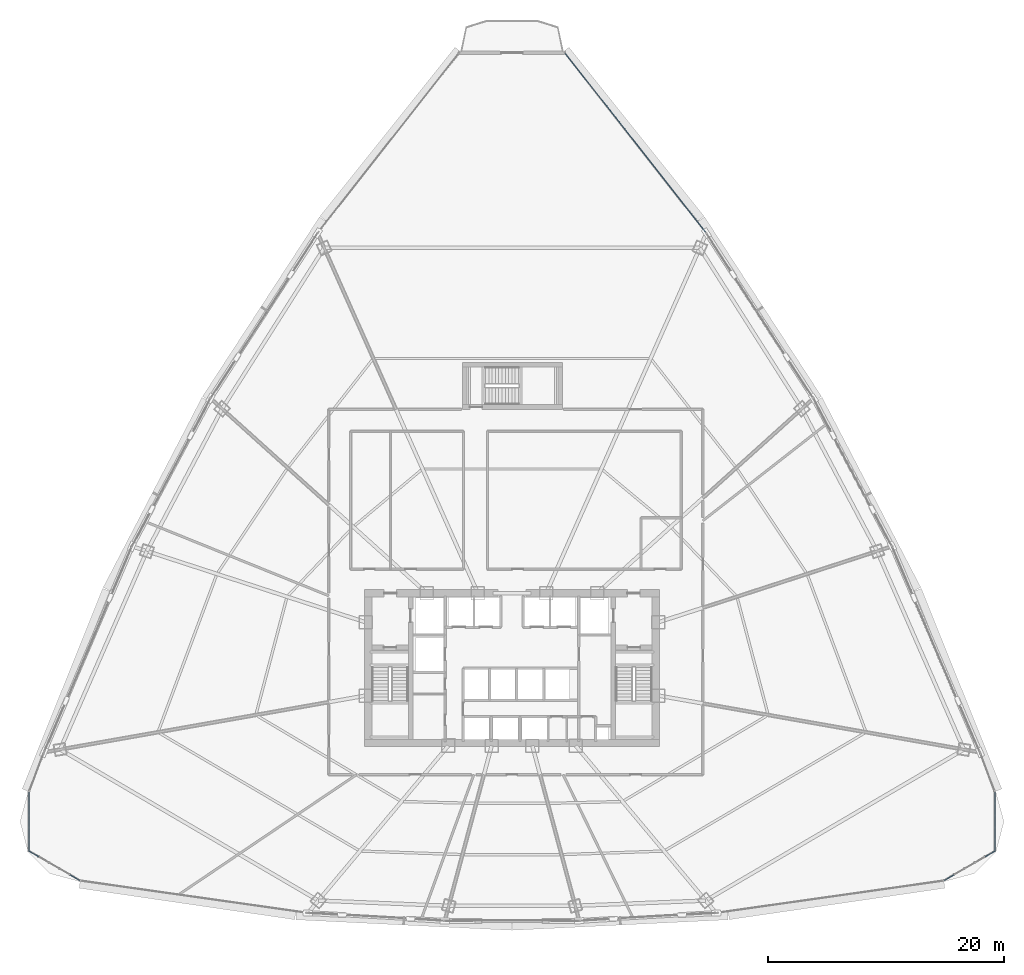
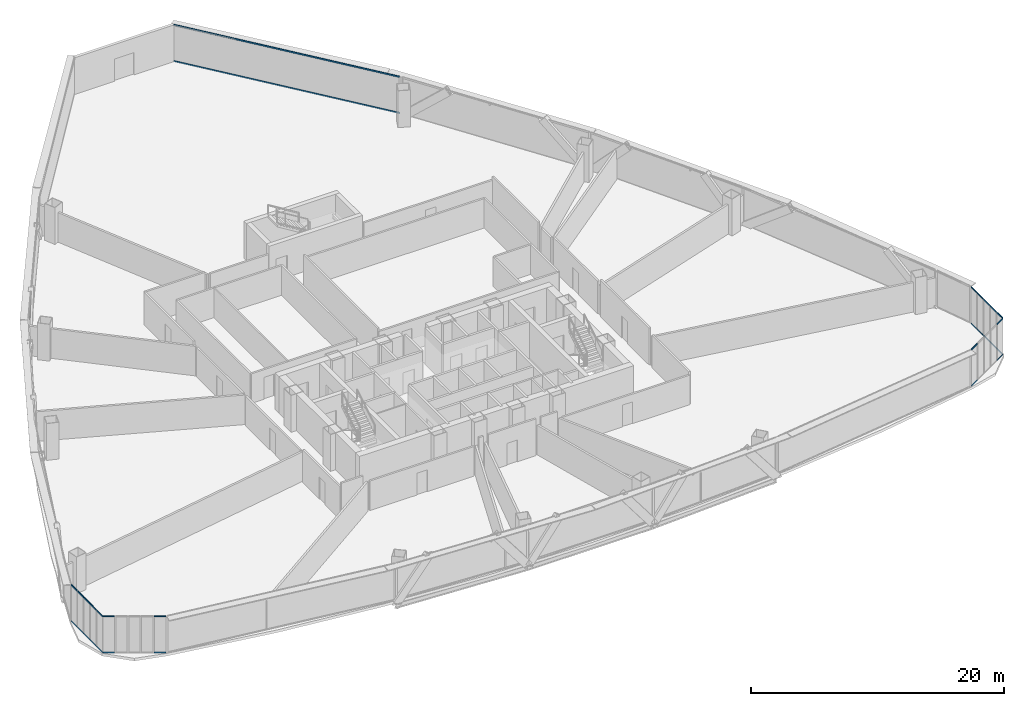
# One storey, part 29 of 41: 30 members, 5 elements without a shape of their own.
"""IFC4 building model written with IfcOpenShell, lengths in metres."""

from ifc_helpers import new_model, si_unit, direction, frame, origin, origin_2d, place, context, subcontext, project, spatial, hollow_rectangle, extrude, source, transform, mapped, material, layer, layer_set, material_profile, profile_set, type_object, element, aggregate, save


model = new_model("IFC4")

# Units and contexts
model_context = context("Model", 3, precision=1e-05, world=origin(), true_north=direction((0.0, 1.0)))
body_context = subcontext(model_context, "Body", "Model", "MODEL_VIEW")
ifc_project = project(units=[si_unit("LENGTHUNIT", "METRE"), si_unit("AREAUNIT", "SQUARE_METRE"), si_unit("VOLUMEUNIT", "CUBIC_METRE"), si_unit("PLANEANGLEUNIT", "RADIAN"), si_unit("MASSUNIT", "GRAM", prefix="KILO"), si_unit("THERMODYNAMICTEMPERATUREUNIT", "KELVIN"), si_unit("POWERUNIT", "WATT")], contexts=[model_context])

# Site, building, storey
site_placement = place(None, origin())
site = spatial("IfcSite", under=ifc_project, at=site_placement, CompositionType="ELEMENT")
building_placement = place(site_placement, origin())
building = spatial("IfcBuilding", under=site, at=building_placement, Name="Yunzhuo Pagoda Commons", CompositionType="ELEMENT")
storey_placement = place(building_placement, frame((0.0, 0.0, 111.580078125)))
storey = spatial("IfcBuildingStorey", under=building, at=storey_placement, Name="L28", CompositionType="ELEMENT", Elevation=111.580078125)

# Curtain wall, members
ifc_material = material(Name="Anodized aluminium 6063-T6", Category="aluminium")
ifc_layer_1 = layer(ifc_material, 0.1650390625)
ifc_layer_set_1 = layer_set([ifc_layer_1], Name="Anodized aluminium 6063-T6")
curtain_wall_type_1 = type_object("IfcCurtainWallType", Name="CW-LOW Low-Zone Ribbon Curtain Wall", PredefinedType="NOTDEFINED", material=ifc_layer_set_1)
curtain_wall_1_placement = place(storey_placement, origin())
curtain_wall_1 = element("IfcCurtainWall", 1, at=curtain_wall_1_placement, inside=storey, type_object=curtain_wall_type_1, Name="L28 curtain wall CW-L28-F2B5", PredefinedType="NOTDEFINED")
ifc_material_profile_1 = material_profile(ifc_material, hollow_rectangle(XDim=0.06005859375, YDim=0.139892578125, WallThickness=0.00341796875, at=origin_2d()), Name="Anodized aluminium 6063-T6")
ifc_profile_set_1 = profile_set([ifc_material_profile_1], Name="Anodized aluminium 6063-T6")
member_type_1 = type_object("IfcMemberType", Name="CW-LOW-T Transom RHS 140x60x3.5", PredefinedType="USERDEFINED", material=ifc_profile_set_1)
shared_shape_1 = source(origin(), body_context, "Body", "SweptSolid", [
    extrude(hollow_rectangle(XDim=0.06005859375, YDim=0.139892578125, WallThickness=0.00341796875, at=origin_2d()), origin(), (0.0, 0.0, 1.0), 19.262451171875),
])
member_1_placement = place(storey_placement, frame((64.416015625, 70.875, 0.030029296875), z_axis=(-0.617738145231, 0.786383865505, 0.0), x_axis=(-0.786383865505, -0.617738145231, 0.0)))
member_1 = element("IfcMember", 2, at=member_1_placement, type_object=member_type_1, Name="CW transom 1.1", ObjectType="TRANSOM", PredefinedType="USERDEFINED", context=body_context, shape_type="MappedRepresentation", body=[
    mapped(shared_shape_1, transform((0.0, 0.0, 0.0), scale=1.0)),
])
member_2_placement = place(storey_placement, frame((64.416015625, 70.875, 3.510009765625), z_axis=(-0.617738145231, 0.786383865505, 0.0), x_axis=(-0.786383865505, -0.617738145231, 0.0)))
member_2 = element("IfcMember", 3, at=member_2_placement, type_object=member_type_1, Name="CW transom 1.2", ObjectType="TRANSOM", PredefinedType="USERDEFINED", context=body_context, shape_type="MappedRepresentation", body=[
    mapped(shared_shape_1, transform((0.0, 0.0, 0.0), scale=1.0)),
])
aggregate(curtain_wall_1, [member_1, member_2])

ifc_layer_2 = layer(ifc_material, 0.1298828125)
ifc_layer_set_2 = layer_set([ifc_layer_2], Name="Anodized aluminium 6063-T6")
curtain_wall_type_2 = type_object("IfcCurtainWallType", Name="CW-VTX Rounded Corner Curtain Wall", PredefinedType="NOTDEFINED", material=ifc_layer_set_2)
curtain_wall_2_placement = place(storey_placement, origin())
curtain_wall_2 = element("IfcCurtainWall", 4, at=curtain_wall_2_placement, inside=storey, type_object=curtain_wall_type_2, Name="L28 curtain wall CW-L28-VTX1S1", PredefinedType="NOTDEFINED")
ifc_material_profile_2 = material_profile(ifc_material, hollow_rectangle(XDim=0.054931640625, YDim=0.1201171875, WallThickness=0.00341796875, at=origin_2d()), Name="Anodized aluminium 6063-T6")
ifc_profile_set_2 = profile_set([ifc_material_profile_2], Name="Anodized aluminium 6063-T6")
member_type_2 = type_object("IfcMemberType", Name="CW-VTX-T Transom RHS 120x55x3.5", PredefinedType="USERDEFINED", material=ifc_profile_set_2)
shared_shape_2 = source(origin(), body_context, "Body", "SweptSolid", [
    extrude(hollow_rectangle(XDim=0.054931640625, YDim=0.1201171875, WallThickness=0.00341796875, at=origin_2d()), origin(), (0.0, 0.0, 1.0), 0.93408203125),
])
member_3_placement = place(storey_placement, frame((7.011962890625, 23.301513671875, 0.02734375), z_axis=(-0.003659149575, -0.99999330529, 0.0), x_axis=(0.99999330529, -0.003659149575, 0.0)))
member_3 = element("IfcMember", 5, at=member_3_placement, type_object=member_type_2, Name="CW transom 1.1", ObjectType="TRANSOM", PredefinedType="USERDEFINED", context=body_context, shape_type="MappedRepresentation", body=[
    mapped(shared_shape_2, transform((0.0, 0.0, 0.0), scale=1.0)),
])
member_4_placement = place(storey_placement, frame((7.011962890625, 23.301513671875, 3.512451171875), z_axis=(-0.003659149575, -0.99999330529, 0.0), x_axis=(0.99999330529, -0.003659149575, 0.0)))
member_4 = element("IfcMember", 6, at=member_4_placement, type_object=member_type_2, Name="CW transom 1.2", ObjectType="TRANSOM", PredefinedType="USERDEFINED", context=body_context, shape_type="MappedRepresentation", body=[
    mapped(shared_shape_2, transform((0.0, 0.0, 0.0), scale=1.0)),
])

curtain_wall_3_placement = place(storey_placement, origin())
curtain_wall_3 = element("IfcCurtainWall", 7, at=curtain_wall_3_placement, inside=storey, type_object=curtain_wall_type_2, Name="L28 curtain wall CW-L28-VTX2S1", PredefinedType="NOTDEFINED")
member_5_placement = place(storey_placement, frame((84.69384765625, 15.822265625, 0.02734375), z_axis=(0.865414355233, 0.501056876769, 0.0), x_axis=(-0.501056876769, 0.865414355233, 0.0)))
member_5 = element("IfcMember", 8, at=member_5_placement, type_object=member_type_2, Name="CW transom 1.1", ObjectType="TRANSOM", PredefinedType="USERDEFINED", context=body_context, shape_type="MappedRepresentation", body=[
    mapped(shared_shape_2, transform((0.0, 0.0, 0.0), scale=1.0)),
])
member_6_placement = place(storey_placement, frame((84.69384765625, 15.822265625, 3.512451171875), z_axis=(0.865414355233, 0.501056876769, 0.0), x_axis=(-0.501056876769, 0.865414355233, 0.0)))
member_6 = element("IfcMember", 9, at=member_6_placement, type_object=member_type_2, Name="CW transom 1.2", ObjectType="TRANSOM", PredefinedType="USERDEFINED", context=body_context, shape_type="MappedRepresentation", body=[
    mapped(shared_shape_2, transform((0.0, 0.0, 0.0), scale=1.0)),
])

curtain_wall_4_placement = place(storey_placement, origin())
curtain_wall_4 = element("IfcCurtainWall", 10, at=curtain_wall_4_placement, inside=storey, type_object=curtain_wall_type_2, Name="L28 curtain wall CW-L28-VTX2S2", PredefinedType="NOTDEFINED")
member_7_placement = place(storey_placement, frame((88.991455078125, 22.367431640625, 0.02734375), z_axis=(-0.003659149575, 0.99999330529, 0.0), x_axis=(-0.99999330529, -0.003659149575, 0.0)))
member_7 = element("IfcMember", 11, at=member_7_placement, type_object=member_type_2, Name="CW transom 5.1", ObjectType="TRANSOM", PredefinedType="USERDEFINED", context=body_context, shape_type="MappedRepresentation", body=[
    mapped(shared_shape_2, transform((0.0, 0.0, 0.0), scale=1.0)),
])
member_8_placement = place(storey_placement, frame((88.991455078125, 22.367431640625, 3.512451171875), z_axis=(-0.003659149575, 0.99999330529, 0.0), x_axis=(-0.99999330529, -0.003659149575, 0.0)))
member_8 = element("IfcMember", 12, at=member_8_placement, type_object=member_type_2, Name="CW transom 5.2", ObjectType="TRANSOM", PredefinedType="USERDEFINED", context=body_context, shape_type="MappedRepresentation", body=[
    mapped(shared_shape_2, transform((0.0, 0.0, 0.0), scale=1.0)),
])

# Member
shared_shape_3 = source(origin(), body_context, "Body", "SweptSolid", [
    extrude(hollow_rectangle(XDim=0.054931640625, YDim=0.1201171875, WallThickness=0.00341796875, at=origin_2d()), origin(), (0.0, 0.0, 1.0), 0.9619140625),
])
member_9_placement = place(storey_placement, frame((7.008544921875, 22.312255859375, 0.02734375), z_axis=(-0.003807079009, -0.999992753048, 0.0), x_axis=(0.999992753048, -0.003807079009, 0.0)))
member_9 = element("IfcMember", 13, at=member_9_placement, type_object=member_type_2, Name="CW transom 2.1", ObjectType="TRANSOM", PredefinedType="USERDEFINED", context=body_context, shape_type="MappedRepresentation", body=[
    mapped(shared_shape_3, transform((0.0, 0.0, 0.0), scale=1.0)),
])

member_10_placement = place(storey_placement, frame((7.008544921875, 22.312255859375, 3.512451171875), z_axis=(-0.003807079009, -0.999992753048, 0.0), x_axis=(0.999992753048, -0.003807079009, 0.0)))
member_10 = element("IfcMember", 14, at=member_10_placement, type_object=member_type_2, Name="CW transom 2.2", ObjectType="TRANSOM", PredefinedType="USERDEFINED", context=body_context, shape_type="MappedRepresentation", body=[
    mapped(shared_shape_3, transform((0.0, 0.0, 0.0), scale=1.0)),
])

member_11_placement = place(storey_placement, frame((7.0048828125, 21.29541015625, 0.02734375), z_axis=(-0.003807079009, -0.999992753048, 0.0), x_axis=(0.999992753048, -0.003807079009, 0.0)))
member_11 = element("IfcMember", 15, at=member_11_placement, type_object=member_type_2, Name="CW transom 3.1", ObjectType="TRANSOM", PredefinedType="USERDEFINED", context=body_context, shape_type="MappedRepresentation", body=[
    mapped(shared_shape_3, transform((0.0, 0.0, 0.0), scale=1.0)),
])

member_12_placement = place(storey_placement, frame((7.0048828125, 21.29541015625, 3.512451171875), z_axis=(-0.003807079009, -0.999992753048, 0.0), x_axis=(0.999992753048, -0.003807079009, 0.0)))
member_12 = element("IfcMember", 16, at=member_12_placement, type_object=member_type_2, Name="CW transom 3.2", ObjectType="TRANSOM", PredefinedType="USERDEFINED", context=body_context, shape_type="MappedRepresentation", body=[
    mapped(shared_shape_3, transform((0.0, 0.0, 0.0), scale=1.0)),
])

member_13_placement = place(storey_placement, frame((88.998779296875, 20.33349609375, 0.02734375), z_axis=(-0.003807079009, 0.999992753048, 0.0), x_axis=(-0.999992753048, -0.003807079009, 0.0)))
member_13 = element("IfcMember", 17, at=member_13_placement, type_object=member_type_2, Name="CW transom 3.1", ObjectType="TRANSOM", PredefinedType="USERDEFINED", context=body_context, shape_type="MappedRepresentation", body=[
    mapped(shared_shape_3, transform((0.0, 0.0, 0.0), scale=1.0)),
])

member_14_placement = place(storey_placement, frame((88.998779296875, 20.33349609375, 3.512451171875), z_axis=(-0.003807079009, 0.999992753048, 0.0), x_axis=(-0.999992753048, -0.003807079009, 0.0)))
member_14 = element("IfcMember", 18, at=member_14_placement, type_object=member_type_2, Name="CW transom 3.2", ObjectType="TRANSOM", PredefinedType="USERDEFINED", context=body_context, shape_type="MappedRepresentation", body=[
    mapped(shared_shape_3, transform((0.0, 0.0, 0.0), scale=1.0)),
])

member_15_placement = place(storey_placement, frame((88.9951171875, 21.350341796875, 0.02734375), z_axis=(-0.003807079009, 0.999992753048, 0.0), x_axis=(-0.999992753048, -0.003807079009, 0.0)))
member_15 = element("IfcMember", 19, at=member_15_placement, type_object=member_type_2, Name="CW transom 4.1", ObjectType="TRANSOM", PredefinedType="USERDEFINED", context=body_context, shape_type="MappedRepresentation", body=[
    mapped(shared_shape_3, transform((0.0, 0.0, 0.0), scale=1.0)),
])

member_16_placement = place(storey_placement, frame((88.9951171875, 21.350341796875, 3.512451171875), z_axis=(-0.003807079009, 0.999992753048, 0.0), x_axis=(-0.999992753048, -0.003807079009, 0.0)))
member_16 = element("IfcMember", 20, at=member_16_placement, type_object=member_type_2, Name="CW transom 4.2", ObjectType="TRANSOM", PredefinedType="USERDEFINED", context=body_context, shape_type="MappedRepresentation", body=[
    mapped(shared_shape_3, transform((0.0, 0.0, 0.0), scale=1.0)),
])

shared_shape_4 = source(origin(), body_context, "Body", "SweptSolid", [
    extrude(hollow_rectangle(XDim=0.054931640625, YDim=0.1201171875, WallThickness=0.00341796875, at=origin_2d()), origin(), (0.0, 0.0, 1.0), 0.962158203125),
])
member_17_placement = place(storey_placement, frame((7.001220703125, 20.27880859375, 0.02734375), z_axis=(-0.003806113005, -0.999992756726, 0.0), x_axis=(0.999992756726, -0.003806113005, 0.0)))
member_17 = element("IfcMember", 21, at=member_17_placement, type_object=member_type_2, Name="CW transom 4.1", ObjectType="TRANSOM", PredefinedType="USERDEFINED", context=body_context, shape_type="MappedRepresentation", body=[
    mapped(shared_shape_4, transform((0.0, 0.0, 0.0), scale=1.0)),
])

member_18_placement = place(storey_placement, frame((7.001220703125, 20.27880859375, 3.512451171875), z_axis=(-0.003806113005, -0.999992756726, 0.0), x_axis=(0.999992756726, -0.003806113005, 0.0)))
member_18 = element("IfcMember", 22, at=member_18_placement, type_object=member_type_2, Name="CW transom 4.2", ObjectType="TRANSOM", PredefinedType="USERDEFINED", context=body_context, shape_type="MappedRepresentation", body=[
    mapped(shared_shape_4, transform((0.0, 0.0, 0.0), scale=1.0)),
])

member_19_placement = place(storey_placement, frame((89.00244140625, 19.316650390625, 0.02734375), z_axis=(-0.003806113005, 0.999992756726, 0.0), x_axis=(-0.999992756726, -0.003806113005, 0.0)))
member_19 = element("IfcMember", 23, at=member_19_placement, type_object=member_type_2, Name="CW transom 2.1", ObjectType="TRANSOM", PredefinedType="USERDEFINED", context=body_context, shape_type="MappedRepresentation", body=[
    mapped(shared_shape_4, transform((0.0, 0.0, 0.0), scale=1.0)),
])

member_20_placement = place(storey_placement, frame((89.00244140625, 19.316650390625, 3.512451171875), z_axis=(-0.003806113005, 0.999992756726, 0.0), x_axis=(-0.999992756726, -0.003806113005, 0.0)))
member_20 = element("IfcMember", 24, at=member_20_placement, type_object=member_type_2, Name="CW transom 2.2", ObjectType="TRANSOM", PredefinedType="USERDEFINED", context=body_context, shape_type="MappedRepresentation", body=[
    mapped(shared_shape_4, transform((0.0, 0.0, 0.0), scale=1.0)),
])

shared_shape_5 = source(origin(), body_context, "Body", "SweptSolid", [
    extrude(hollow_rectangle(XDim=0.054931640625, YDim=0.1201171875, WallThickness=0.00341796875, at=origin_2d()), origin(), (0.0, 0.0, 1.0), 0.934326171875),
])
member_21_placement = place(storey_placement, frame((6.99755859375, 19.26171875, 0.02734375), z_axis=(-0.003658193447, -0.999993308788, 0.0), x_axis=(0.999993308788, -0.003658193447, 0.0)))
member_21 = element("IfcMember", 25, at=member_21_placement, type_object=member_type_2, Name="CW transom 5.1", ObjectType="TRANSOM", PredefinedType="USERDEFINED", context=body_context, shape_type="MappedRepresentation", body=[
    mapped(shared_shape_5, transform((0.0, 0.0, 0.0), scale=1.0)),
])

member_22_placement = place(storey_placement, frame((6.99755859375, 19.26171875, 3.512451171875), z_axis=(-0.003658193447, -0.999993308788, 0.0), x_axis=(0.999993308788, -0.003658193447, 0.0)))
member_22 = element("IfcMember", 26, at=member_22_placement, type_object=member_type_2, Name="CW transom 5.2", ObjectType="TRANSOM", PredefinedType="USERDEFINED", context=body_context, shape_type="MappedRepresentation", body=[
    mapped(shared_shape_5, transform((0.0, 0.0, 0.0), scale=1.0)),
])

aggregate(curtain_wall_2, [member_3, member_4, member_9, member_10, member_11, member_12, member_17, member_18, member_21, member_22])

# Curtain wall, members
curtain_wall_5_placement = place(storey_placement, origin())
curtain_wall_5 = element("IfcCurtainWall", 27, at=curtain_wall_5_placement, inside=storey, type_object=curtain_wall_type_2, Name="L28 curtain wall CW-L28-VTX1S2", PredefinedType="NOTDEFINED")
member_23_placement = place(storey_placement, frame((7.001708984375, 18.314453125, 0.02734375), z_axis=(0.865366650634, -0.501139262052, 0.0), x_axis=(0.501139262052, 0.865366650634, 0.0)))
member_23 = element("IfcMember", 28, at=member_23_placement, type_object=member_type_2, Name="CW transom 1.1", ObjectType="TRANSOM", PredefinedType="USERDEFINED", context=body_context, shape_type="MappedRepresentation", body=[
    mapped(shared_shape_5, transform((0.0, 0.0, 0.0), scale=1.0)),
])
member_24_placement = place(storey_placement, frame((7.001708984375, 18.314453125, 3.512451171875), z_axis=(0.865366650634, -0.501139262052, 0.0), x_axis=(0.501139262052, 0.865366650634, 0.0)))
member_24 = element("IfcMember", 29, at=member_24_placement, type_object=member_type_2, Name="CW transom 1.2", ObjectType="TRANSOM", PredefinedType="USERDEFINED", context=body_context, shape_type="MappedRepresentation", body=[
    mapped(shared_shape_5, transform((0.0, 0.0, 0.0), scale=1.0)),
])

# Member
member_25_placement = place(storey_placement, frame((88.189697265625, 17.84619140625, 0.02734375), z_axis=(0.865366650634, 0.501139262052, 0.0), x_axis=(-0.501139262052, 0.865366650634, 0.0)))
member_25 = element("IfcMember", 30, at=member_25_placement, type_object=member_type_2, Name="CW transom 5.1", ObjectType="TRANSOM", PredefinedType="USERDEFINED", context=body_context, shape_type="MappedRepresentation", body=[
    mapped(shared_shape_5, transform((0.0, 0.0, 0.0), scale=1.0)),
])

member_26_placement = place(storey_placement, frame((88.189697265625, 17.84619140625, 3.512451171875), z_axis=(0.865366650634, 0.501139262052, 0.0), x_axis=(-0.501139262052, 0.865366650634, 0.0)))
member_26 = element("IfcMember", 31, at=member_26_placement, type_object=member_type_2, Name="CW transom 5.2", ObjectType="TRANSOM", PredefinedType="USERDEFINED", context=body_context, shape_type="MappedRepresentation", body=[
    mapped(shared_shape_5, transform((0.0, 0.0, 0.0), scale=1.0)),
])

aggregate(curtain_wall_3, [member_5, member_6, member_25, member_26])

member_27_placement = place(storey_placement, frame((89.005859375, 18.327392578125, 0.02734375), z_axis=(-0.003658193447, 0.999993308788, 0.0), x_axis=(-0.999993308788, -0.003658193447, 0.0)))
member_27 = element("IfcMember", 32, at=member_27_placement, type_object=member_type_2, Name="CW transom 1.1", ObjectType="TRANSOM", PredefinedType="USERDEFINED", context=body_context, shape_type="MappedRepresentation", body=[
    mapped(shared_shape_5, transform((0.0, 0.0, 0.0), scale=1.0)),
])

member_28_placement = place(storey_placement, frame((89.005859375, 18.327392578125, 3.512451171875), z_axis=(-0.003658193447, 0.999993308788, 0.0), x_axis=(-0.999993308788, -0.003658193447, 0.0)))
member_28 = element("IfcMember", 33, at=member_28_placement, type_object=member_type_2, Name="CW transom 1.2", ObjectType="TRANSOM", PredefinedType="USERDEFINED", context=body_context, shape_type="MappedRepresentation", body=[
    mapped(shared_shape_5, transform((0.0, 0.0, 0.0), scale=1.0)),
])

aggregate(curtain_wall_4, [member_27, member_28, member_19, member_20, member_13, member_14, member_15, member_16, member_7, member_8])

shared_shape_6 = source(origin(), body_context, "Body", "SweptSolid", [
    extrude(hollow_rectangle(XDim=0.054931640625, YDim=0.1201171875, WallThickness=0.00341796875, at=origin_2d()), origin(), (0.0, 0.0, 1.0), 0.9345703125),
])
member_29_placement = place(storey_placement, frame((10.497802734375, 16.290283203125, 0.02734375), z_axis=(0.865545507051, -0.500830285849, 0.0), x_axis=(0.500830285849, 0.865545507051, 0.0)))
member_29 = element("IfcMember", 34, at=member_29_placement, type_object=member_type_2, Name="CW transom 5.1", ObjectType="TRANSOM", PredefinedType="USERDEFINED", context=body_context, shape_type="MappedRepresentation", body=[
    mapped(shared_shape_6, transform((0.0, 0.0, 0.0), scale=1.0)),
])

member_30_placement = place(storey_placement, frame((10.497802734375, 16.290283203125, 3.512451171875), z_axis=(0.865545507051, -0.500830285849, 0.0), x_axis=(0.500830285849, 0.865545507051, 0.0)))
member_30 = element("IfcMember", 35, at=member_30_placement, type_object=member_type_2, Name="CW transom 5.2", ObjectType="TRANSOM", PredefinedType="USERDEFINED", context=body_context, shape_type="MappedRepresentation", body=[
    mapped(shared_shape_6, transform((0.0, 0.0, 0.0), scale=1.0)),
])

aggregate(curtain_wall_5, [member_23, member_24, member_29, member_30])

save(model, "model.ifc")
